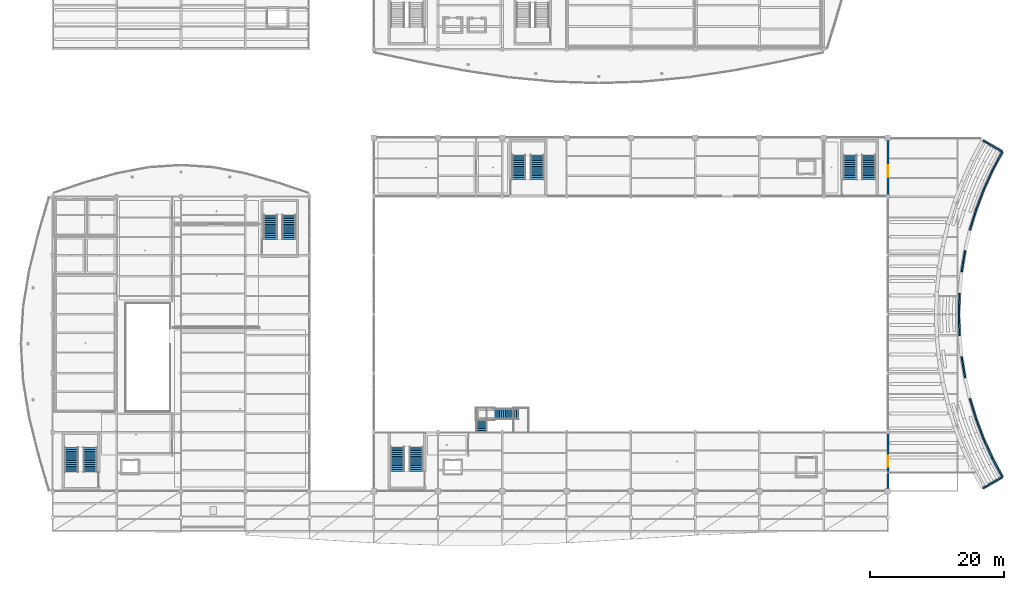
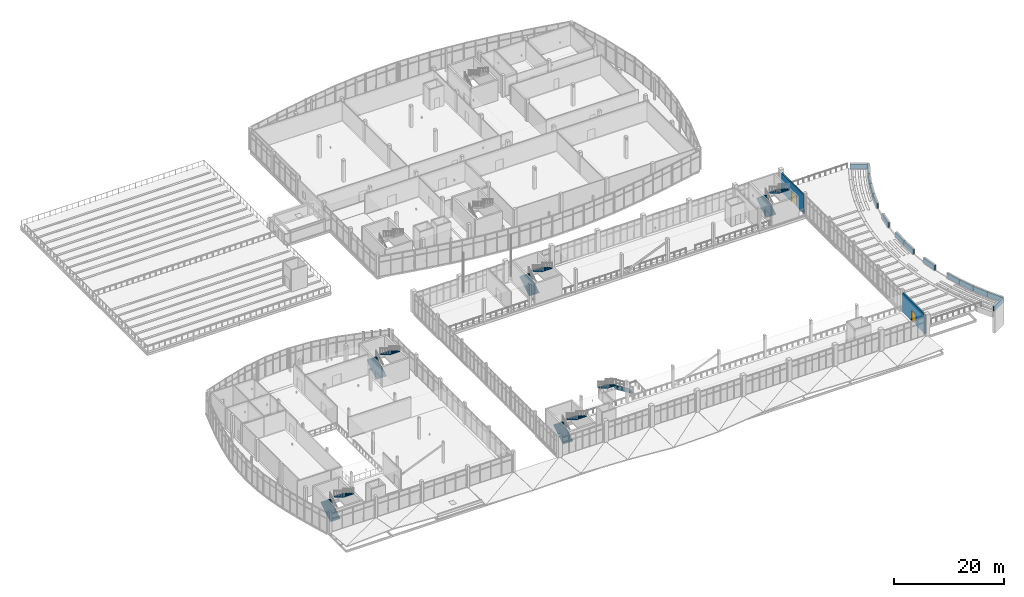
# One storey, part 137 of 157: 16 walls, 12 stair flights, 2 doors, 2 openings, 6 elements without a shape of their own.
"""IFC4 building model written with IfcOpenShell, lengths in metres."""

import ifcopenshell
import ifcopenshell.guid

model = None  # the IFC model being written
_history = None  # IfcOwnerHistory: only IFC2X3 demands one
_inside = {}  # id of a spatial element -> (the spatial element, [elements in it])
_under = {}  # id of a project, library or spatial element -> (it, [spatial elements below it])
_declared = {}  # id of a project -> (the project, [libraries it declares])
_typed = {}  # id of a type object -> (the type object, [elements of that type])
_made_of = {}  # id of a material, layer set ... -> (it, [elements and type objects made of it])


def new_model(schema):
    """Start an empty IFC model of exactly this schema.

    Asked for "IFC4X3", IfcOpenShell would pick the latest addendum, in which some entities
    have other attributes; the version numbers below select the first issue.
    IFC2X3 requires an IfcOwnerHistory on every rooted entity: one is made here for all.
    """
    global model, _history
    if schema == "IFC4X3":
        model = ifcopenshell.file(schema_version=(4, 3, 0, 0))
    else:
        model = ifcopenshell.file(schema=schema)
    _inside.clear()
    _under.clear()
    _declared.clear()
    _typed.clear()
    _made_of.clear()
    _history = None
    if model.schema == "IFC2X3":
        org = make("IfcOrganization", Name="unknown")
        user = make(
            "IfcPersonAndOrganization",
            ThePerson=make("IfcPerson", FamilyName="unknown"),
            TheOrganization=org,
        )
        app = make(
            "IfcApplication",
            ApplicationDeveloper=org,
            Version="unknown",
            ApplicationFullName="unknown",
            ApplicationIdentifier="unknown",
        )
        _history = make(
            "IfcOwnerHistory",
            OwningUser=user,
            OwningApplication=app,
            ChangeAction="ADDED",
            CreationDate=0,
        )
    return model


def make(cls, **values):
    """One entity of the class cls with the attributes given. An attribute that is None is left unset."""
    return model.create_entity(
        cls, **{name: value for name, value in values.items() if value is not None}
    )


def rooted(cls, **values):
    """An entity with a GlobalId (a new one), such as an element, a storey or a relation."""
    return make(cls, GlobalId=ifcopenshell.guid.new(), OwnerHistory=_history, **values)


def si_unit(unit_type, name, prefix=None):
    """IfcSIUnit, for example si_unit("LENGTHUNIT", "METRE", prefix="MILLI")."""
    return make("IfcSIUnit", UnitType=unit_type, Prefix=prefix, Name=name)


def assignment(units):
    """IfcUnitAssignment: the units of a project."""
    return None if units is None else make("IfcUnitAssignment", Units=units)


def point(xyz):
    """IfcCartesianPoint."""
    return None if xyz is None else make("IfcCartesianPoint", Coordinates=xyz)


def direction(xyz):
    """IfcDirection."""
    return None if xyz is None else make("IfcDirection", DirectionRatios=xyz)


def frame(location, z_axis=None, x_axis=None):
    """IfcAxis2Placement3D, a coordinate frame: its origin and axes. An axis left out is left unset."""
    return make(
        "IfcAxis2Placement3D",
        Location=point(location),
        Axis=direction(z_axis),
        RefDirection=direction(x_axis),
    )


def frame_2d(location, x_axis=None):
    """IfcAxis2Placement2D, a coordinate frame in the plane: its origin and x axis."""
    return make(
        "IfcAxis2Placement2D", Location=point(location), RefDirection=direction(x_axis)
    )


def origin():
    """The frame at (0, 0, 0) with its axes left unset."""
    return frame((0.0, 0.0, 0.0))


def place(relative_to, where):
    """IfcLocalPlacement: puts the frame where relative to a parent placement (None: the world)."""
    return make(
        "IfcLocalPlacement", PlacementRelTo=relative_to, RelativePlacement=where
    )


def context(
    kind, dimensions, precision=None, world=None, true_north=None, identifier=None
):
    """IfcGeometricRepresentationContext, for example the 3D "Model" context."""
    return make(
        "IfcGeometricRepresentationContext",
        ContextIdentifier=identifier,
        ContextType=kind,
        CoordinateSpaceDimension=dimensions,
        Precision=precision,
        WorldCoordinateSystem=world,
        TrueNorth=true_north,
    )


def subcontext(parent, identifier, kind, view, scale=None):
    """IfcGeometricRepresentationSubContext, for example "Body" below "Model"."""
    return make(
        "IfcGeometricRepresentationSubContext",
        ContextIdentifier=identifier,
        ContextType=kind,
        ParentContext=parent,
        TargetScale=scale,
        TargetView=view,
    )


def project(units=None, contexts=None):
    """IfcProject with its units and contexts."""
    return rooted(
        "IfcProject",
        Name="project",
        RepresentationContexts=contexts,
        UnitsInContext=assignment(units),
    )


def spatial(cls, under=None, at=None, **own):
    """A site, building, storey or space (cls), placed at a placement, below another one or the project."""
    s = rooted(cls, ObjectPlacement=at, **own)
    if under is not None:
        _under.setdefault(under.id(), (under, []))[1].append(s)
    return s


def polyline(points):
    """IfcPolyline through the points."""
    return make("IfcPolyline", Points=[point(p) for p in points])


def profile(cls, at=None, kind="AREA", **sizes):
    """A parametric profile (cls). Its sizes go by their IFC names, for example OverallWidth=200.0."""
    return make(cls, ProfileType=kind, Position=at, **sizes)


def rectangle(**sizes):
    """IfcRectangleProfileDef."""
    return profile("IfcRectangleProfileDef", **sizes)


def outline(outer, holes=None, kind="AREA"):
    """IfcArbitraryClosedProfileDef: a profile drawn as a closed curve; with holes, ...WithVoids."""
    if holes is None:
        return make("IfcArbitraryClosedProfileDef", ProfileType=kind, OuterCurve=outer)
    return make(
        "IfcArbitraryProfileDefWithVoids",
        ProfileType=kind,
        OuterCurve=outer,
        InnerCurves=holes,
    )


def extrude(swept, where, along, depth):
    """IfcExtrudedAreaSolid: the profile swept, set in the frame where, extruded along a direction by depth."""
    return make(
        "IfcExtrudedAreaSolid",
        SweptArea=swept,
        Position=where,
        ExtrudedDirection=direction(along),
        Depth=depth,
    )


def shape(context_of_items, identifier, shape_type, items):
    """IfcShapeRepresentation: the items that make up one representation, for example the "Body"."""
    return make(
        "IfcShapeRepresentation",
        ContextOfItems=context_of_items,
        RepresentationIdentifier=identifier,
        RepresentationType=shape_type,
        Items=items,
    )


def material(Name=None, Category=None):
    """IfcMaterial."""
    return make("IfcMaterial", Name=Name, Category=Category)


def layer(
    of_material, thickness, ventilated=None, Name=None, Category=None, Priority=None
):
    """IfcMaterialLayer: one layer of a wall or slab, of a material (None: an air gap)."""
    return make(
        "IfcMaterialLayer",
        Material=of_material,
        LayerThickness=thickness,
        IsVentilated=ventilated,
        Name=Name,
        Category=Category,
        Priority=Priority,
    )


def layer_set(layers, Name=None):
    """IfcMaterialLayerSet."""
    return make("IfcMaterialLayerSet", MaterialLayers=layers, LayerSetName=Name)


def made_of(thing, what):
    """Note that an element or type object is made of a material, layer set ...; save() writes the relation."""
    if what is not None:
        _made_of.setdefault(what.id(), (what, []))[1].append(thing)
    return thing


def type_object(cls, material=None, **own):
    """A type object (cls), such as IfcWallType, which elements share."""
    return made_of(rooted(cls, **own), material)


def element(
    cls,
    number,
    at=None,
    inside=None,
    cuts=None,
    type_object=None,
    material=None,
    context=None,
    identifier="Body",
    shape_type=None,
    held_by="IfcProductDefinitionShape",
    body=None,
    shapes=None,
    **own,
):
    """One element of the class cls, such as IfcWall. Its Tag is "e" and its number.

    at: its placement. inside: the storey or other place that contains it. cuts: it is an
    opening in that element (IfcRelVoidsElement). A single representation is given by context,
    identifier, shape_type and body (its items); several are given by shapes. held_by: the class
    of the entity that holds the representations. save() writes the other relations.
    """
    e = rooted(cls, Tag="e%d" % number, ObjectPlacement=at, **own)
    if body is not None:
        shapes = [shape(context, identifier, shape_type, body)]
    if shapes is not None:
        e.Representation = make(held_by, Representations=shapes)
    if inside is not None:
        _inside.setdefault(inside.id(), (inside, []))[1].append(e)
    if cuts is not None:
        rooted(
            "IfcRelVoidsElement", RelatingBuildingElement=cuts, RelatedOpeningElement=e
        )
    if type_object is not None:
        _typed.setdefault(type_object.id(), (type_object, []))[1].append(e)
    return made_of(e, material)


def fill(opening, filler):
    """IfcRelFillsElement: the door or window that sits in an opening."""
    return rooted(
        "IfcRelFillsElement",
        RelatingOpeningElement=opening,
        RelatedBuildingElement=filler,
    )


def aggregate(whole, parts):
    """IfcRelAggregates: a whole, such as a stair, and the parts it consists of."""
    return rooted("IfcRelAggregates", RelatingObject=whole, RelatedObjects=parts)


def save(model, path):
    """Write the relations noted so far, then the file.

    IfcRelAggregates (storeys below a building ...), IfcRelContainedInSpatialStructure (elements
    in a storey), IfcRelDefinesByType, IfcRelAssociatesMaterial and IfcRelDeclares: one each for
    every whole, place, type object, material and project.
    """
    for whole, parts in _under.values():
        aggregate(whole, parts)
    for where, things in _inside.values():
        rooted(
            "IfcRelContainedInSpatialStructure",
            RelatedElements=things,
            RelatingStructure=where,
        )
    for kind, things in _typed.values():
        rooted("IfcRelDefinesByType", RelatedObjects=things, RelatingType=kind)
    for what, things in _made_of.values():
        rooted("IfcRelAssociatesMaterial", RelatedObjects=things, RelatingMaterial=what)
    for by, libraries in _declared.values():
        rooted("IfcRelDeclares", RelatingContext=by, RelatedDefinitions=libraries)
    model.write(path)


model = new_model("IFC4")

# Units and contexts
model_context = context("Model", 3, precision=1e-05, world=origin(), true_north=direction((0.0, 1.0)))
body_context = subcontext(model_context, "Body", "Model", "MODEL_VIEW")
ifc_project = project(units=[si_unit("LENGTHUNIT", "METRE"), si_unit("AREAUNIT", "SQUARE_METRE"), si_unit("VOLUMEUNIT", "CUBIC_METRE"), si_unit("PLANEANGLEUNIT", "RADIAN"), si_unit("MASSUNIT", "GRAM", prefix="KILO")], contexts=[model_context])

# Site, building, storey
site_placement = place(None, origin())
site = spatial("IfcSite", under=ifc_project, at=site_placement, CompositionType="ELEMENT")
building_placement = place(site_placement, origin())
building = spatial("IfcBuilding", under=site, at=building_placement, Name="Chalmorin Arch Market", CompositionType="ELEMENT")
storey_placement = place(building_placement, frame((0.0, 0.0, 4.800048828125)))
storey = spatial("IfcBuildingStorey", under=building, at=storey_placement, Name="L01", CompositionType="ELEMENT", Elevation=4.800048828125)

# Wall, opening, door
ifc_material_1 = material(Name="Concrete C30/37", Category="concrete")
ifc_layer_1 = layer(ifc_material_1, 0.300048828125)
ifc_layer_set_1 = layer_set([ifc_layer_1], Name="Concrete C30/37")
wall_type_1 = type_object("IfcWallType", Name="ExteriorBackupWall-300", PredefinedType="STANDARD", material=ifc_layer_set_1)
wall_1_placement = place(storey_placement, frame((124.800048828125, 6.39990234375, 0.0), z_axis=(0.0, 0.0, 1.0), x_axis=(0.0, 1.0, 0.0)))
wall_1 = element("IfcWall", 1, at=wall_1_placement, inside=storey, type_object=wall_type_1, Name="EBW-300-138", PredefinedType="STANDARD", context=body_context, shape_type="SweptSolid", body=[
    extrude(rectangle(XDim=8.10009765625, YDim=0.300048828125, at=frame_2d((4.050048828125, 0.0))), origin(), (0.0, 0.0, 1.0), 4.199951171875),
])
opening_1_placement = place(wall_1_placement, frame((3.199951171875, 0.0, 0.0)))
opening_1 = element("IfcOpeningElement", 2, at=opening_1_placement, cuts=wall_1, Name="Opening ED-023", PredefinedType="OPENING", context=body_context, shape_type="SweptSolid", body=[
    extrude(rectangle(XDim=1.679931640625, YDim=2.31005859375, at=frame_2d((0.83984375, 1.155029296875))), frame((0.0, 0.159912109375, 0.0), z_axis=(0.0, -1.0, 0.0), x_axis=(1.0, 0.0, 0.0)), (0.0, 0.0, 1.0), 0.320068359375),
])
ifc_material_2 = material(Name="Aluminium 6063-T6", Category="aluminium")
door_type_1 = type_object("IfcDoorType", Name="DoubleStorefrontDoor-1800x2400-1680x2310", OperationType="DOUBLE_DOOR_SINGLE_SWING", PredefinedType="DOOR", material=ifc_material_2)
door_1_placement = place(opening_1_placement, origin())
door_1 = element("IfcDoor", 3, at=door_1_placement, inside=storey, type_object=door_type_1, Name="ED-023", OperationType="DOUBLE_DOOR_SINGLE_SWING", OverallHeight=2.31005859375, OverallWidth=1.679931640625, PredefinedType="DOOR", context=body_context, shape_type="SweptSolid", body=[
    extrude(rectangle(XDim=1.679931640625, YDim=2.31005859375, at=frame_2d((0.83984375, 1.155029296875))), frame((0.0, 0.02490234375, 0.0), z_axis=(0.0, -1.0, 0.0), x_axis=(1.0, 0.0, 0.0)), (0.0, 0.0, 1.0), 0.050048828125),
])
fill(opening_1, door_1)

wall_2_placement = place(storey_placement, frame((124.800048828125, 50.300048828125, 0.0), z_axis=(0.0, 0.0, 1.0), x_axis=(0.0, 1.0, 0.0)))
wall_2 = element("IfcWall", 4, at=wall_2_placement, inside=storey, type_object=wall_type_1, Name="EBW-300-149", PredefinedType="STANDARD", context=body_context, shape_type="SweptSolid", body=[
    extrude(rectangle(XDim=8.099853515625, YDim=0.300048828125, at=frame_2d((4.0498046875, 0.0))), origin(), (0.0, 0.0, 1.0), 4.095947265625),
])
opening_2_placement = place(wall_2_placement, frame((2.60009765625, 0.0, 0.0)))
opening_2 = element("IfcOpeningElement", 5, at=opening_2_placement, cuts=wall_2, Name="Opening ED-028", PredefinedType="OPENING", context=body_context, shape_type="SweptSolid", body=[
    extrude(rectangle(XDim=1.800048828125, YDim=2.39990234375, at=frame_2d((0.89990234375, 1.199951171875))), frame((0.0, 0.159912109375, 0.0), z_axis=(0.0, -1.0, 0.0), x_axis=(1.0, 0.0, 0.0)), (0.0, 0.0, 1.0), 0.320068359375),
])
door_type_2 = type_object("IfcDoorType", Name="DoubleStorefrontDoor-1800x2400", OperationType="DOUBLE_DOOR_SINGLE_SWING", PredefinedType="DOOR", material=ifc_material_2)
door_2_placement = place(opening_2_placement, origin())
door_2 = element("IfcDoor", 6, at=door_2_placement, inside=storey, type_object=door_type_2, Name="ED-028", OperationType="DOUBLE_DOOR_SINGLE_SWING", OverallHeight=2.39990234375, OverallWidth=1.800048828125, PredefinedType="DOOR", context=body_context, shape_type="SweptSolid", body=[
    extrude(rectangle(XDim=1.800048828125, YDim=2.39990234375, at=frame_2d((0.89990234375, 1.199951171875))), frame((0.0, 0.02490234375, 0.0), z_axis=(0.0, -1.0, 0.0), x_axis=(1.0, 0.0, 0.0)), (0.0, 0.0, 1.0), 0.050048828125),
])
fill(opening_2, door_2)

# Walls
ifc_material_3 = material(Name="Precast concrete C40/50", Category="concrete")
ifc_layer_2 = layer(ifc_material_3, 0.239990234375)
ifc_layer_set_2 = layer_set([ifc_layer_2], Name="Precast concrete C40/50")
wall_type_2 = type_object("IfcWallType", Name="WhitePlanterParapetWall-240", PredefinedType="PARAPET", material=ifc_layer_set_2)
wall_3_placement = place(storey_placement, frame((141.910888671875, 56.699951171875, 0.0), z_axis=(0.0, 0.0, 1.0), x_axis=(-0.471277407926, -0.881985036596, 0.0)))
element("IfcWall", 7, at=wall_3_placement, inside=storey, type_object=wall_type_2, Name="PWP-240-314", PredefinedType="PARAPET", context=body_context, shape_type="SweptSolid", body=[
    extrude(rectangle(XDim=3.18017578125, YDim=0.239990234375, at=frame_2d((1.590087890625, 0.0))), origin(), (0.0, 0.0, 1.0), 1.119873046875),
])
wall_4_placement = place(storey_placement, frame((140.412109375, 53.89501953125, 0.0), z_axis=(0.0, 0.0, 1.0), x_axis=(-0.412807989375, -0.910818073991, 0.0)))
element("IfcWall", 8, at=wall_4_placement, inside=storey, type_object=wall_type_2, Name="PWP-240-316", PredefinedType="PARAPET", context=body_context, shape_type="SweptSolid", body=[
    extrude(rectangle(XDim=3.1806640625, YDim=0.239990234375, at=frame_2d((1.59033203125, 0.0))), origin(), (0.0, 0.0, 1.0), 1.119873046875),
])
for number, where, z_axis, x_axis, name in (
    (9, (139.09912109375, 50.998046875, 0.0), (0.0, 0.0, 1.0), (-0.352250644883, -0.935905702077, 0.0), "PWP-240-318"),
    (10, (137.97900390625, 48.02197265625, 0.0), (0.0, 0.0, 1.0), (-0.290290789392, -0.956938481614, 0.0), "PWP-240-320"),
):
    element("IfcWall", number, at=place(storey_placement, frame(where, z_axis=z_axis, x_axis=x_axis)), inside=storey, type_object=wall_type_2, Name=name, PredefinedType="PARAPET", context=body_context, shape_type="SweptSolid", body=[
        extrude(rectangle(XDim=3.179931640625, YDim=0.239990234375, at=frame_2d((1.58984375, 0.0))), origin(), (0.0, 0.0, 1.0), 1.119873046875),
    ])
wall_5_placement = place(storey_placement, frame((136.333984375, 41.881103515625, 0.0), z_axis=(0.0, 0.0, 1.0), x_axis=(-0.162929587376, -0.986637699238, 0.0)))
element("IfcWall", 11, at=wall_5_placement, inside=storey, type_object=wall_type_2, Name="PWP-240-323", PredefinedType="PARAPET", context=body_context, shape_type="SweptSolid", body=[
    extrude(rectangle(XDim=3.1796875, YDim=0.239990234375, at=frame_2d((1.58984375, 0.0))), origin(), (0.0, 0.0, 1.0), 1.119873046875),
])
wall_6_placement = place(storey_placement, frame((135.50390625, 35.5791015625, 0.0), z_axis=(0.0, 0.0, 1.0), x_axis=(-0.03269637773, -0.999465330506, 0.0)))
element("IfcWall", 12, at=wall_6_placement, inside=storey, type_object=wall_type_2, Name="PWP-240-326", PredefinedType="PARAPET", context=body_context, shape_type="SweptSolid", body=[
    extrude(rectangle(XDim=3.180908203125, YDim=0.239990234375, at=frame_2d((1.59033203125, 0.0))), origin(), (0.0, 0.0, 1.0), 1.119873046875),
])
wall_7_placement = place(storey_placement, frame((135.39990234375, 32.39990234375, 0.0), z_axis=(0.0, 0.0, 1.0), x_axis=(0.032698886095, -0.999465248444, 0.0)))
element("IfcWall", 13, at=wall_7_placement, inside=storey, type_object=wall_type_2, Name="PWP-240-328", PredefinedType="PARAPET", context=body_context, shape_type="SweptSolid", body=[
    extrude(rectangle(XDim=3.1806640625, YDim=0.239990234375, at=frame_2d((1.59033203125, 0.0))), origin(), (0.0, 0.0, 1.0), 1.119873046875),
])
wall_8_placement = place(storey_placement, frame((135.81591796875, 26.055908203125, 0.0), z_axis=(0.0, 0.0, 1.0), x_axis=(0.162941931057, -0.98663566077, 0.0)))
element("IfcWall", 14, at=wall_8_placement, inside=storey, type_object=wall_type_2, Name="PWP-240-331", PredefinedType="PARAPET", context=body_context, shape_type="SweptSolid", body=[
    extrude(rectangle(XDim=3.179443359375, YDim=0.239990234375, at=frame_2d((1.58984375, 0.0))), origin(), (0.0, 0.0, 1.0), 1.119873046875),
])
for number, where, z_axis, x_axis, name in (
    (15, (137.055908203125, 19.821044921875, 0.0), (0.0, 0.0, 1.0), (0.290290789392, -0.956938481614, 0.0), "PWP-240-334"),
    (16, (137.97900390625, 16.778076171875, 0.0), (0.0, 0.0, 1.0), (0.352250644883, -0.935905702077, 0.0), "PWP-240-336"),
):
    element("IfcWall", number, at=place(storey_placement, frame(where, z_axis=z_axis, x_axis=x_axis)), inside=storey, type_object=wall_type_2, Name=name, PredefinedType="PARAPET", context=body_context, shape_type="SweptSolid", body=[
        extrude(rectangle(XDim=3.179931640625, YDim=0.239990234375, at=frame_2d((1.58984375, 0.0))), origin(), (0.0, 0.0, 1.0), 1.119873046875),
    ])
wall_9_placement = place(storey_placement, frame((139.09912109375, 13.802001953125, 0.0), z_axis=(0.0, 0.0, 1.0), x_axis=(0.412807989375, -0.910818073991, 0.0)))
element("IfcWall", 17, at=wall_9_placement, inside=storey, type_object=wall_type_2, Name="PWP-240-338", PredefinedType="PARAPET", context=body_context, shape_type="SweptSolid", body=[
    extrude(rectangle(XDim=3.1806640625, YDim=0.239990234375, at=frame_2d((1.59033203125, 0.0))), origin(), (0.0, 0.0, 1.0), 1.119873046875),
])
wall_10_placement = place(storey_placement, frame((140.412109375, 10.905029296875, 0.0), z_axis=(0.0, 0.0, 1.0), x_axis=(0.471277407926, -0.881985036596, 0.0)))
element("IfcWall", 18, at=wall_10_placement, inside=storey, type_object=wall_type_2, Name="PWP-240-340", PredefinedType="PARAPET", context=body_context, shape_type="SweptSolid", body=[
    extrude(rectangle(XDim=3.18017578125, YDim=0.239990234375, at=frame_2d((1.590087890625, 0.0))), origin(), (0.0, 0.0, 1.0), 1.119873046875),
])
wall_11_placement = place(storey_placement, frame((141.876953125, 56.719970703125, 0.0), z_axis=(0.0, 0.0, 1.0), x_axis=(-0.866094994717, 0.499879445593, 0.0)))
element("IfcWall", 19, at=wall_11_placement, inside=storey, type_object=wall_type_2, Name="PWP-240-370", PredefinedType="PARAPET", context=body_context, shape_type="SweptSolid", body=[
    extrude(rectangle(XDim=3.320556640625, YDim=0.239990234375, at=frame_2d((1.66015625, 0.0))), origin(), (0.0, 0.0, 1.0), 1.119873046875),
])
wall_12_placement = place(storey_placement, frame((141.876953125, 8.080078125, 0.0), z_axis=(0.0, 0.0, 1.0), x_axis=(-0.866063163075, -0.499934593286, 0.0)))
element("IfcWall", 20, at=wall_12_placement, inside=storey, type_object=wall_type_2, Name="PWP-240-372", PredefinedType="PARAPET", context=body_context, shape_type="SweptSolid", body=[
    extrude(rectangle(XDim=3.32080078125, YDim=0.239990234375, at=frame_2d((1.660400390625, 0.0))), origin(), (0.0, 0.0, 1.0), 1.119873046875),
])

# Stair, stair flights
ifc_material_4 = material(Name="Concrete C40/50", Category="concrete")
stair_type_1 = type_object("IfcStairType", Name="DoglegExitStair-28R-SC1", PredefinedType="HALF_TURN_STAIR", material=ifc_material_4)
stair_1_placement = place(storey_placement, origin())
stair_1 = element("IfcStair", 21, at=stair_1_placement, inside=storey, type_object=stair_type_1, Name="ST-02", PredefinedType="HALF_TURN_STAIR")
ifc_layer_3 = layer(ifc_material_4, 0.1650390625)
ifc_layer_set_3 = layer_set([ifc_layer_3], Name="Concrete C40/50")
stair_flight_type_1 = type_object("IfcStairFlightType", Name="CoreStairFlight-2050", PredefinedType="STRAIGHT", material=ifc_layer_set_3)
stair_flight_1_placement = place(storey_placement, frame((2.864990234375, 8.860107421875, 0.0), z_axis=(0.0, 0.0, 1.0), x_axis=(0.0, 1.0, 0.0)))
stair_flight_1 = element("IfcStairFlight", 22, at=stair_flight_1_placement, type_object=stair_flight_type_1, Name="ST-02-F1", NumberOfRisers=14, NumberOfTreads=13, PredefinedType="STRAIGHT", RiserHeight=0.171429, TreadLength=0.28, context=body_context, shape_type="SweptSolid", body=[
    extrude(outline(polyline([(0.0, 0.0), (0.0, 0.17138671875), (0.280029296875, 0.17138671875), (0.280029296875, 0.3427734375), (0.56005859375, 0.3427734375), (0.56005859375, 0.514404296875), (0.840087890625, 0.514404296875), (0.840087890625, 0.685791015625), (1.1201171875, 0.685791015625), (1.1201171875, 0.857177734375), (1.39990234375, 0.857177734375), (1.39990234375, 1.028564453125), (1.679931640625, 1.028564453125), (1.679931640625, 1.199951171875), (1.9599609375, 1.199951171875), (1.9599609375, 1.371337890625), (2.239990234375, 1.371337890625), (2.239990234375, 1.54296875), (2.52001953125, 1.54296875), (2.52001953125, 1.71435546875), (2.800048828125, 1.71435546875), (2.800048828125, 1.8857421875), (3.080078125, 1.8857421875), (3.080078125, 2.05712890625), (3.360107421875, 2.05712890625), (3.360107421875, 2.228515625), (3.639892578125, 2.228515625), (3.639892578125, 2.39990234375), (3.639892578125, 2.03515625), (0.316162109375, 0.0), (0.0, 0.0)])), frame((0.0, 1.02490234375, 0.0), z_axis=(0.0, -1.0, 0.0), x_axis=(1.0, 0.0, 0.0)), (0.0, 0.0, 1.0), 2.050048828125),
])
stair_flight_2_placement = place(storey_placement, frame((5.635009765625, 12.5, 2.39990234375), z_axis=(0.0, 0.0, 1.0), x_axis=(0.0, -1.0, 0.0)))
stair_flight_2 = element("IfcStairFlight", 23, at=stair_flight_2_placement, type_object=stair_flight_type_1, Name="ST-02-F2", NumberOfRisers=14, NumberOfTreads=13, PredefinedType="STRAIGHT", RiserHeight=0.171429, TreadLength=0.28, context=body_context, shape_type="SweptSolid", body=[
    extrude(outline(polyline([(0.0, 0.0), (0.0, 0.17138671875), (0.280029296875, 0.17138671875), (0.280029296875, 0.3427734375), (0.56005859375, 0.3427734375), (0.56005859375, 0.514404296875), (0.840087890625, 0.514404296875), (0.840087890625, 0.685791015625), (1.1201171875, 0.685791015625), (1.1201171875, 0.857177734375), (1.39990234375, 0.857177734375), (1.39990234375, 1.028564453125), (1.679931640625, 1.028564453125), (1.679931640625, 1.199951171875), (1.9599609375, 1.199951171875), (1.9599609375, 1.371337890625), (2.239990234375, 1.371337890625), (2.239990234375, 1.54296875), (2.52001953125, 1.54296875), (2.52001953125, 1.71435546875), (2.800048828125, 1.71435546875), (2.800048828125, 1.8857421875), (3.080078125, 1.8857421875), (3.080078125, 2.05712890625), (3.360107421875, 2.05712890625), (3.360107421875, 2.228515625), (3.639892578125, 2.228515625), (3.639892578125, 2.39990234375), (3.639892578125, 2.03515625), (0.316162109375, 0.0), (0.0, 0.0)])), frame((0.0, 1.02490234375, 0.0), z_axis=(0.0, -1.0, 0.0), x_axis=(1.0, 0.0, 0.0)), (0.0, 0.0, 1.0), 2.050048828125),
])
aggregate(stair_1, [stair_flight_1, stair_flight_2])

stair_type_2 = type_object("IfcStairType", Name="DoglegExitStair-28R-SC2", PredefinedType="HALF_TURN_STAIR", material=ifc_material_4)
stair_2_placement = place(storey_placement, origin())
stair_2 = element("IfcStair", 24, at=stair_2_placement, inside=storey, type_object=stair_type_2, Name="ST-04", PredefinedType="HALF_TURN_STAIR")
stair_flight_3_placement = place(storey_placement, frame((32.56494140625, 43.610107421875, 0.0), z_axis=(0.0, 0.0, 1.0), x_axis=(0.0, 1.0, 0.0)))
stair_flight_3 = element("IfcStairFlight", 25, at=stair_flight_3_placement, type_object=stair_flight_type_1, Name="ST-04-F1", NumberOfRisers=14, NumberOfTreads=13, PredefinedType="STRAIGHT", RiserHeight=0.171429, TreadLength=0.28, context=body_context, shape_type="SweptSolid", body=[
    extrude(outline(polyline([(0.0, 0.0), (0.0, 0.17138671875), (0.280029296875, 0.17138671875), (0.280029296875, 0.3427734375), (0.56005859375, 0.3427734375), (0.56005859375, 0.514404296875), (0.840087890625, 0.514404296875), (0.840087890625, 0.685791015625), (1.1201171875, 0.685791015625), (1.1201171875, 0.857177734375), (1.39990234375, 0.857177734375), (1.39990234375, 1.028564453125), (1.679931640625, 1.028564453125), (1.679931640625, 1.199951171875), (1.9599609375, 1.199951171875), (1.9599609375, 1.371337890625), (2.239990234375, 1.371337890625), (2.239990234375, 1.54296875), (2.52001953125, 1.54296875), (2.52001953125, 1.71435546875), (2.800048828125, 1.71435546875), (2.800048828125, 1.8857421875), (3.080078125, 1.8857421875), (3.080078125, 2.05712890625), (3.360107421875, 2.05712890625), (3.360107421875, 2.228515625), (3.639892578125, 2.228515625), (3.639892578125, 2.39990234375), (3.639892578125, 2.03515625), (0.316162109375, 0.0), (0.0, 0.0)])), frame((0.0, 1.02490234375, 0.0), z_axis=(0.0, -1.0, 0.0), x_axis=(1.0, 0.0, 0.0)), (0.0, 0.0, 1.0), 2.050048828125),
])
stair_flight_4_placement = place(storey_placement, frame((35.3349609375, 47.25, 2.39990234375), z_axis=(0.0, 0.0, 1.0), x_axis=(0.0, -1.0, 0.0)))
stair_flight_4 = element("IfcStairFlight", 26, at=stair_flight_4_placement, type_object=stair_flight_type_1, Name="ST-04-F2", NumberOfRisers=14, NumberOfTreads=13, PredefinedType="STRAIGHT", RiserHeight=0.171429, TreadLength=0.28, context=body_context, shape_type="SweptSolid", body=[
    extrude(outline(polyline([(0.0, 0.0), (0.0, 0.17138671875), (0.280029296875, 0.17138671875), (0.280029296875, 0.3427734375), (0.56005859375, 0.3427734375), (0.56005859375, 0.514404296875), (0.840087890625, 0.514404296875), (0.840087890625, 0.685791015625), (1.1201171875, 0.685791015625), (1.1201171875, 0.857177734375), (1.39990234375, 0.857177734375), (1.39990234375, 1.028564453125), (1.679931640625, 1.028564453125), (1.679931640625, 1.199951171875), (1.9599609375, 1.199951171875), (1.9599609375, 1.371337890625), (2.239990234375, 1.371337890625), (2.239990234375, 1.54296875), (2.52001953125, 1.54296875), (2.52001953125, 1.71435546875), (2.800048828125, 1.71435546875), (2.800048828125, 1.8857421875), (3.080078125, 1.8857421875), (3.080078125, 2.05712890625), (3.360107421875, 2.05712890625), (3.360107421875, 2.228515625), (3.639892578125, 2.228515625), (3.639892578125, 2.39990234375), (3.639892578125, 2.03515625), (0.316162109375, 0.0), (0.0, 0.0)])), frame((0.0, 1.02490234375, 0.0), z_axis=(0.0, -1.0, 0.0), x_axis=(1.0, 0.0, 0.0)), (0.0, 0.0, 1.0), 2.050048828125),
])
aggregate(stair_2, [stair_flight_3, stair_flight_4])

stair_type_3 = type_object("IfcStairType", Name="DoglegExitStair-28R-SC3", PredefinedType="HALF_TURN_STAIR", material=ifc_material_4)
stair_3_placement = place(storey_placement, origin())
stair_3 = element("IfcStair", 27, at=stair_3_placement, inside=storey, type_object=stair_type_3, Name="ST-07", PredefinedType="HALF_TURN_STAIR")
stair_flight_5_placement = place(storey_placement, frame((51.56494140625, 8.9599609375, 0.0), z_axis=(0.0, 0.0, 1.0), x_axis=(0.0, 1.0, 0.0)))
stair_flight_5 = element("IfcStairFlight", 28, at=stair_flight_5_placement, type_object=stair_flight_type_1, Name="ST-07-F1", NumberOfRisers=14, NumberOfTreads=13, PredefinedType="STRAIGHT", RiserHeight=0.171429, TreadLength=0.28, context=body_context, shape_type="SweptSolid", body=[
    extrude(outline(polyline([(0.0, 0.0), (0.0, 0.17138671875), (0.280029296875, 0.17138671875), (0.280029296875, 0.3427734375), (0.56005859375, 0.3427734375), (0.56005859375, 0.514404296875), (0.840087890625, 0.514404296875), (0.840087890625, 0.685791015625), (1.1201171875, 0.685791015625), (1.1201171875, 0.857177734375), (1.39990234375, 0.857177734375), (1.39990234375, 1.028564453125), (1.679931640625, 1.028564453125), (1.679931640625, 1.199951171875), (1.9599609375, 1.199951171875), (1.9599609375, 1.371337890625), (2.239990234375, 1.371337890625), (2.239990234375, 1.54296875), (2.52001953125, 1.54296875), (2.52001953125, 1.71435546875), (2.800048828125, 1.71435546875), (2.800048828125, 1.8857421875), (3.080078125, 1.8857421875), (3.080078125, 2.05712890625), (3.360107421875, 2.05712890625), (3.360107421875, 2.228515625), (3.639892578125, 2.228515625), (3.639892578125, 2.39990234375), (3.639892578125, 2.03515625), (0.316162109375, 0.0), (0.0, 0.0)])), frame((0.0, 1.02490234375, 0.0), z_axis=(0.0, -1.0, 0.0), x_axis=(1.0, 0.0, 0.0)), (0.0, 0.0, 1.0), 2.050048828125),
])
stair_flight_6_placement = place(storey_placement, frame((54.3349609375, 12.60009765625, 2.39990234375), z_axis=(0.0, 0.0, 1.0), x_axis=(0.0, -1.0, 0.0)))
stair_flight_6 = element("IfcStairFlight", 29, at=stair_flight_6_placement, type_object=stair_flight_type_1, Name="ST-07-F2", NumberOfRisers=14, NumberOfTreads=13, PredefinedType="STRAIGHT", RiserHeight=0.171429, TreadLength=0.28, context=body_context, shape_type="SweptSolid", body=[
    extrude(outline(polyline([(0.0, 0.0), (0.0, 0.17138671875), (0.280029296875, 0.17138671875), (0.280029296875, 0.3427734375), (0.56005859375, 0.3427734375), (0.56005859375, 0.514404296875), (0.840087890625, 0.514404296875), (0.840087890625, 0.685791015625), (1.1201171875, 0.685791015625), (1.1201171875, 0.857177734375), (1.39990234375, 0.857177734375), (1.39990234375, 1.028564453125), (1.679931640625, 1.028564453125), (1.679931640625, 1.199951171875), (1.9599609375, 1.199951171875), (1.9599609375, 1.371337890625), (2.239990234375, 1.371337890625), (2.239990234375, 1.54296875), (2.52001953125, 1.54296875), (2.52001953125, 1.71435546875), (2.800048828125, 1.71435546875), (2.800048828125, 1.8857421875), (3.080078125, 1.8857421875), (3.080078125, 2.05712890625), (3.360107421875, 2.05712890625), (3.360107421875, 2.228515625), (3.639892578125, 2.228515625), (3.639892578125, 2.39990234375), (3.639892578125, 2.03515625), (0.316162109375, 0.0), (0.0, 0.0)])), frame((0.0, 1.02490234375, 0.0), z_axis=(0.0, -1.0, 0.0), x_axis=(1.0, 0.0, 0.0)), (0.0, 0.0, 1.0), 2.050048828125),
])
aggregate(stair_3, [stair_flight_5, stair_flight_6])

stair_type_4 = type_object("IfcStairType", Name="DoglegExitStair-28R-SC4", PredefinedType="HALF_TURN_STAIR", material=ifc_material_4)
stair_4_placement = place(storey_placement, origin())
stair_4 = element("IfcStair", 30, at=stair_4_placement, inside=storey, type_object=stair_type_4, Name="ST-10", PredefinedType="HALF_TURN_STAIR")
stair_flight_7_placement = place(storey_placement, frame((119.1650390625, 52.56005859375, 0.0), z_axis=(0.0, 0.0, 1.0), x_axis=(0.0, 1.0, 0.0)))
stair_flight_7 = element("IfcStairFlight", 31, at=stair_flight_7_placement, type_object=stair_flight_type_1, Name="ST-10-F1", NumberOfRisers=14, NumberOfTreads=13, PredefinedType="STRAIGHT", RiserHeight=0.171429, TreadLength=0.28, context=body_context, shape_type="SweptSolid", body=[
    extrude(outline(polyline([(0.0, 0.0), (0.0, 0.17138671875), (0.280029296875, 0.17138671875), (0.280029296875, 0.3427734375), (0.56005859375, 0.3427734375), (0.56005859375, 0.514404296875), (0.840087890625, 0.514404296875), (0.840087890625, 0.685791015625), (1.1201171875, 0.685791015625), (1.1201171875, 0.857177734375), (1.39990234375, 0.857177734375), (1.39990234375, 1.028564453125), (1.679931640625, 1.028564453125), (1.679931640625, 1.199951171875), (1.9599609375, 1.199951171875), (1.9599609375, 1.371337890625), (2.239990234375, 1.371337890625), (2.239990234375, 1.54296875), (2.52001953125, 1.54296875), (2.52001953125, 1.71435546875), (2.800048828125, 1.71435546875), (2.800048828125, 1.8857421875), (3.080078125, 1.8857421875), (3.080078125, 2.05712890625), (3.360107421875, 2.05712890625), (3.360107421875, 2.228515625), (3.639892578125, 2.228515625), (3.639892578125, 2.39990234375), (3.639892578125, 2.03515625), (0.316162109375, 0.0), (0.0, 0.0)])), frame((0.0, 1.02490234375, 0.0), z_axis=(0.0, -1.0, 0.0), x_axis=(1.0, 0.0, 0.0)), (0.0, 0.0, 1.0), 2.050048828125),
])
stair_flight_8_placement = place(storey_placement, frame((121.93505859375, 56.199951171875, 2.39990234375), z_axis=(0.0, 0.0, 1.0), x_axis=(0.0, -1.0, 0.0)))
stair_flight_8 = element("IfcStairFlight", 32, at=stair_flight_8_placement, type_object=stair_flight_type_1, Name="ST-10-F2", NumberOfRisers=14, NumberOfTreads=13, PredefinedType="STRAIGHT", RiserHeight=0.171429, TreadLength=0.28, context=body_context, shape_type="SweptSolid", body=[
    extrude(outline(polyline([(0.0, 0.0), (0.0, 0.17138671875), (0.280029296875, 0.17138671875), (0.280029296875, 0.3427734375), (0.56005859375, 0.3427734375), (0.56005859375, 0.514404296875), (0.840087890625, 0.514404296875), (0.840087890625, 0.685791015625), (1.1201171875, 0.685791015625), (1.1201171875, 0.857177734375), (1.39990234375, 0.857177734375), (1.39990234375, 1.028564453125), (1.679931640625, 1.028564453125), (1.679931640625, 1.199951171875), (1.9599609375, 1.199951171875), (1.9599609375, 1.371337890625), (2.239990234375, 1.371337890625), (2.239990234375, 1.54296875), (2.52001953125, 1.54296875), (2.52001953125, 1.71435546875), (2.800048828125, 1.71435546875), (2.800048828125, 1.8857421875), (3.080078125, 1.8857421875), (3.080078125, 2.05712890625), (3.360107421875, 2.05712890625), (3.360107421875, 2.228515625), (3.639892578125, 2.228515625), (3.639892578125, 2.39990234375), (3.639892578125, 2.03515625), (0.316162109375, 0.0), (0.0, 0.0)])), frame((0.0, 1.02490234375, 0.0), z_axis=(0.0, -1.0, 0.0), x_axis=(1.0, 0.0, 0.0)), (0.0, 0.0, 1.0), 2.050048828125),
])
aggregate(stair_4, [stair_flight_7, stair_flight_8])

stair_type_5 = type_object("IfcStairType", Name="DoglegExitStair-28R-SC8", PredefinedType="HALF_TURN_STAIR", material=ifc_material_4)
stair_5_placement = place(storey_placement, origin())
stair_5 = element("IfcStair", 33, at=stair_5_placement, inside=storey, type_object=stair_type_5, Name="ST-25", PredefinedType="HALF_TURN_STAIR")
stair_flight_9_placement = place(storey_placement, frame((69.6650390625, 52.56005859375, 0.0), z_axis=(0.0, 0.0, 1.0), x_axis=(0.0, 1.0, 0.0)))
stair_flight_9 = element("IfcStairFlight", 34, at=stair_flight_9_placement, type_object=stair_flight_type_1, Name="ST-25-F1", NumberOfRisers=14, NumberOfTreads=13, PredefinedType="STRAIGHT", RiserHeight=0.171429, TreadLength=0.28, context=body_context, shape_type="SweptSolid", body=[
    extrude(outline(polyline([(0.0, 0.0), (0.0, 0.17138671875), (0.280029296875, 0.17138671875), (0.280029296875, 0.3427734375), (0.56005859375, 0.3427734375), (0.56005859375, 0.514404296875), (0.840087890625, 0.514404296875), (0.840087890625, 0.685791015625), (1.1201171875, 0.685791015625), (1.1201171875, 0.857177734375), (1.39990234375, 0.857177734375), (1.39990234375, 1.028564453125), (1.679931640625, 1.028564453125), (1.679931640625, 1.199951171875), (1.9599609375, 1.199951171875), (1.9599609375, 1.371337890625), (2.239990234375, 1.371337890625), (2.239990234375, 1.54296875), (2.52001953125, 1.54296875), (2.52001953125, 1.71435546875), (2.800048828125, 1.71435546875), (2.800048828125, 1.8857421875), (3.080078125, 1.8857421875), (3.080078125, 2.05712890625), (3.360107421875, 2.05712890625), (3.360107421875, 2.228515625), (3.639892578125, 2.228515625), (3.639892578125, 2.39990234375), (3.639892578125, 2.03515625), (0.316162109375, 0.0), (0.0, 0.0)])), frame((0.0, 1.02490234375, 0.0), z_axis=(0.0, -1.0, 0.0), x_axis=(1.0, 0.0, 0.0)), (0.0, 0.0, 1.0), 2.050048828125),
])
stair_flight_10_placement = place(storey_placement, frame((72.43505859375, 56.199951171875, 2.39990234375), z_axis=(0.0, 0.0, 1.0), x_axis=(0.0, -1.0, 0.0)))
stair_flight_10 = element("IfcStairFlight", 35, at=stair_flight_10_placement, type_object=stair_flight_type_1, Name="ST-25-F2", NumberOfRisers=14, NumberOfTreads=13, PredefinedType="STRAIGHT", RiserHeight=0.171429, TreadLength=0.28, context=body_context, shape_type="SweptSolid", body=[
    extrude(outline(polyline([(0.0, 0.0), (0.0, 0.17138671875), (0.280029296875, 0.17138671875), (0.280029296875, 0.3427734375), (0.56005859375, 0.3427734375), (0.56005859375, 0.514404296875), (0.840087890625, 0.514404296875), (0.840087890625, 0.685791015625), (1.1201171875, 0.685791015625), (1.1201171875, 0.857177734375), (1.39990234375, 0.857177734375), (1.39990234375, 1.028564453125), (1.679931640625, 1.028564453125), (1.679931640625, 1.199951171875), (1.9599609375, 1.199951171875), (1.9599609375, 1.371337890625), (2.239990234375, 1.371337890625), (2.239990234375, 1.54296875), (2.52001953125, 1.54296875), (2.52001953125, 1.71435546875), (2.800048828125, 1.71435546875), (2.800048828125, 1.8857421875), (3.080078125, 1.8857421875), (3.080078125, 2.05712890625), (3.360107421875, 2.05712890625), (3.360107421875, 2.228515625), (3.639892578125, 2.228515625), (3.639892578125, 2.39990234375), (3.639892578125, 2.03515625), (0.316162109375, 0.0), (0.0, 0.0)])), frame((0.0, 1.02490234375, 0.0), z_axis=(0.0, -1.0, 0.0), x_axis=(1.0, 0.0, 0.0)), (0.0, 0.0, 1.0), 2.050048828125),
])
aggregate(stair_5, [stair_flight_9, stair_flight_10])

ifc_material_5 = material(Name="Steel A992 Grade 50", Category="steel")
stair_type_6 = type_object("IfcStairType", Name="GalleryFeatureStair-Steel", PredefinedType="QUARTER_TURN_STAIR", material=ifc_material_5)
stair_6_placement = place(storey_placement, origin())
stair_6 = element("IfcStair", 36, at=stair_6_placement, inside=storey, type_object=stair_type_6, Name="ST-28", PredefinedType="QUARTER_TURN_STAIR")
ifc_layer_4 = layer(ifc_material_5, 0.159912109375)
ifc_layer_set_4 = layer_set([ifc_layer_4], Name="Steel A992 Grade 50")
stair_flight_type_2 = type_object("IfcStairFlightType", Name="FeatureStairFlight-1650", PredefinedType="STRAIGHT", material=ifc_layer_set_4)
stair_flight_11_placement = place(storey_placement, frame((69.60009765625, 17.52001953125, 0.0), z_axis=(0.0, 0.0, 1.0), x_axis=(-1.0, 0.0, 0.0)))
stair_flight_11 = element("IfcStairFlight", 37, at=stair_flight_11_placement, type_object=stair_flight_type_2, Name="ST-28-F1", NumberOfRisers=14, NumberOfTreads=13, PredefinedType="STRAIGHT", RiserHeight=0.171429, TreadLength=0.28, context=body_context, shape_type="SweptSolid", body=[
    extrude(outline(polyline([(0.0, 0.0), (0.0, 0.17138671875), (0.280029296875, 0.17138671875), (0.280029296875, 0.3427734375), (0.56005859375, 0.3427734375), (0.56005859375, 0.514404296875), (0.840087890625, 0.514404296875), (0.840087890625, 0.685791015625), (1.1201171875, 0.685791015625), (1.1201171875, 0.857177734375), (1.39990234375, 0.857177734375), (1.39990234375, 1.028564453125), (1.679931640625, 1.028564453125), (1.679931640625, 1.199951171875), (1.9599609375, 1.199951171875), (1.9599609375, 1.371337890625), (2.239990234375, 1.371337890625), (2.239990234375, 1.54296875), (2.52001953125, 1.54296875), (2.52001953125, 1.71435546875), (2.800048828125, 1.71435546875), (2.800048828125, 1.8857421875), (3.080078125, 1.8857421875), (3.080078125, 2.05712890625), (3.360107421875, 2.05712890625), (3.360107421875, 2.228515625), (3.639892578125, 2.228515625), (3.639892578125, 2.39990234375), (3.639892578125, 2.041015625), (0.30615234375, 0.0), (0.0, 0.0)])), frame((0.0, 0.824951171875, 0.0), z_axis=(0.0, -1.0, 0.0), x_axis=(1.0, 0.0, 0.0)), (0.0, 0.0, 1.0), 1.64990234375),
])
stair_flight_12_placement = place(storey_placement, frame((64.10009765625, 18.409912109375, 2.39990234375), z_axis=(0.0, 0.0, 1.0), x_axis=(0.0, -1.0, 0.0)))
stair_flight_12 = element("IfcStairFlight", 38, at=stair_flight_12_placement, type_object=stair_flight_type_2, Name="ST-28-F2", NumberOfRisers=14, NumberOfTreads=13, PredefinedType="STRAIGHT", RiserHeight=0.171429, TreadLength=0.28, context=body_context, shape_type="SweptSolid", body=[
    extrude(outline(polyline([(0.0, 0.0), (0.0, 0.17138671875), (0.280029296875, 0.17138671875), (0.280029296875, 0.3427734375), (0.56005859375, 0.3427734375), (0.56005859375, 0.514404296875), (0.840087890625, 0.514404296875), (0.840087890625, 0.685791015625), (1.1201171875, 0.685791015625), (1.1201171875, 0.857177734375), (1.39990234375, 0.857177734375), (1.39990234375, 1.028564453125), (1.679931640625, 1.028564453125), (1.679931640625, 1.199951171875), (1.9599609375, 1.199951171875), (1.9599609375, 1.371337890625), (2.239990234375, 1.371337890625), (2.239990234375, 1.54296875), (2.52001953125, 1.54296875), (2.52001953125, 1.71435546875), (2.800048828125, 1.71435546875), (2.800048828125, 1.8857421875), (3.080078125, 1.8857421875), (3.080078125, 2.05712890625), (3.360107421875, 2.05712890625), (3.360107421875, 2.228515625), (3.639892578125, 2.228515625), (3.639892578125, 2.39990234375), (3.639892578125, 2.041015625), (0.30615234375, 0.0), (0.0, 0.0)])), frame((0.0, 0.824951171875, 0.0), z_axis=(0.0, -1.0, 0.0), x_axis=(1.0, 0.0, 0.0)), (0.0, 0.0, 1.0), 1.64990234375),
])
aggregate(stair_6, [stair_flight_11, stair_flight_12])

save(model, "model.ifc")
